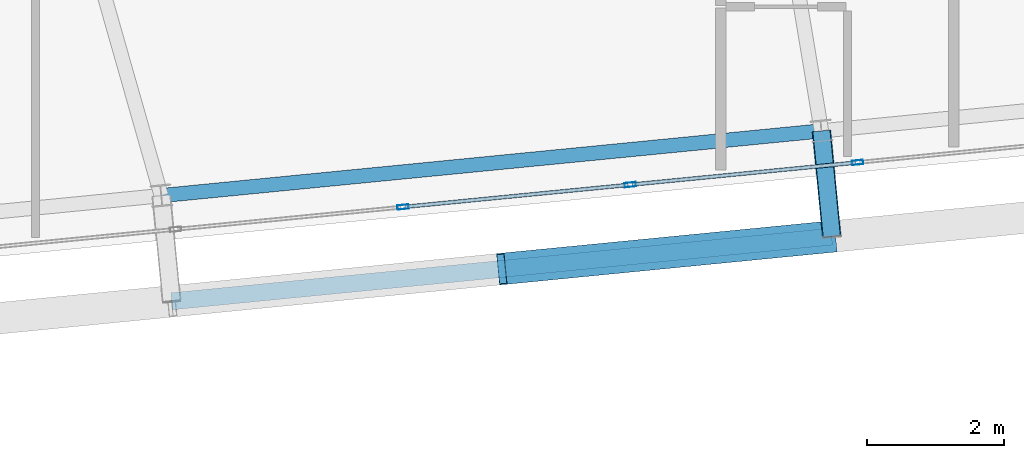
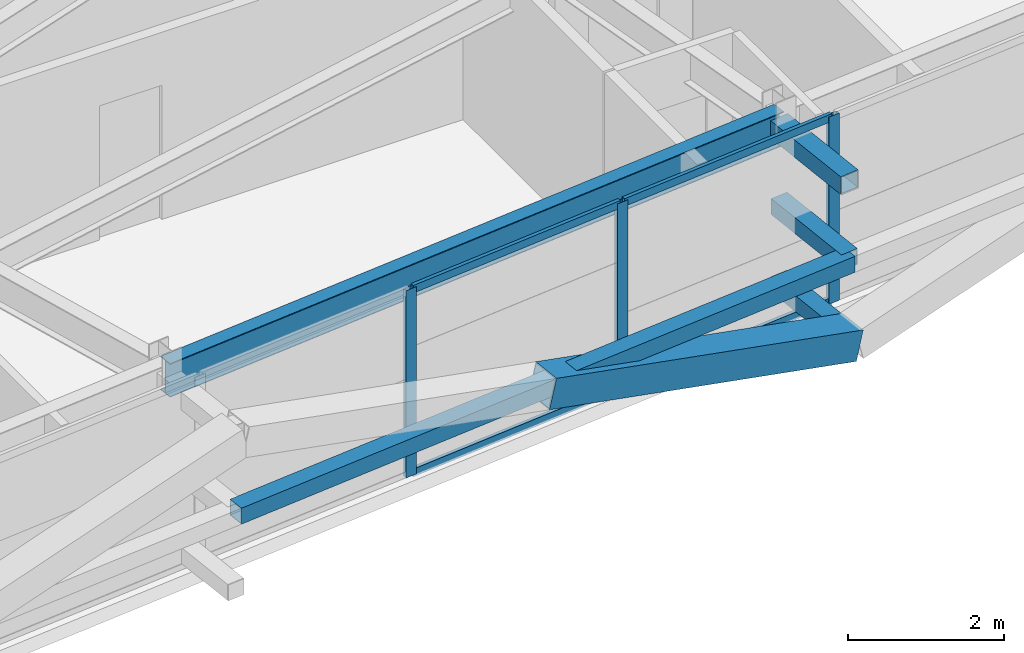
# One storey, part 18 of 53: 12 members, 1 beam, 1 element without a shape of its own.
"""IFC4 building model written with IfcOpenShell, lengths in metres."""

from ifc_helpers import new_model, si_unit, direction, frame, origin, origin_2d, place, context, subcontext, project, spatial, hollow_rectangle, i_section, extrude, source, transform, mapped, material, layer, layer_set, material_profile, profile_set, type_object, element, aggregate, save


model = new_model("IFC4")

# Units and contexts
model_context = context("Model", 3, precision=1e-05, world=origin(), true_north=direction((0.0, 1.0)))
body_context = subcontext(model_context, "Body", "Model", "MODEL_VIEW")
ifc_project = project(units=[si_unit("LENGTHUNIT", "METRE"), si_unit("AREAUNIT", "SQUARE_METRE"), si_unit("VOLUMEUNIT", "CUBIC_METRE"), si_unit("PLANEANGLEUNIT", "RADIAN"), si_unit("MASSUNIT", "GRAM", prefix="KILO")], contexts=[model_context])

# Site, building, storey
site_placement = place(None, origin())
site = spatial("IfcSite", under=ifc_project, at=site_placement, CompositionType="ELEMENT")
building_placement = place(site_placement, origin())
building = spatial("IfcBuilding", under=site, at=building_placement, Name="Taldren Reach Tower", CompositionType="ELEMENT")
storey_placement = place(building_placement, frame((0.0, 0.0, 80.85009765625)))
storey = spatial("IfcBuildingStorey", under=building, at=storey_placement, Name="L24", CompositionType="ELEMENT", Elevation=80.85009765625)

# Members
ifc_material_1 = material(Name="Steel Gr 450 (C450L0)", Category="steel")
ifc_material_profile_1 = material_profile(ifc_material_1, hollow_rectangle(XDim=0.27490234375, YDim=0.27490234375, WallThickness=0.00927734375, at=origin_2d()), Name="275x275x9.3SHS")
ifc_profile_set_1 = profile_set([ifc_material_profile_1], Name="Steel Gr 450 (C450L0)")
member_type_1 = type_object("IfcMemberType", Name="MB-TIE273", PredefinedType="STRUT", material=ifc_profile_set_1)
shared_shape_1 = source(origin(), body_context, "Body", "SweptSolid", [
    extrude(hollow_rectangle(XDim=0.27490234375, YDim=0.27490234375, WallThickness=0.00927734375, at=origin_2d()), origin(), (0.0, 0.0, 1.0), 1.5498046875),
])
member_1_placement = place(storey_placement, frame((53.469482421875, 3.698486328125, 2.64990234375), z_axis=(0.097507178627, -0.995234821595, 0.0), x_axis=(0.995234821595, 0.097507178627, 0.0)))
element("IfcMember", 1, at=member_1_placement, inside=storey, type_object=member_type_1, Name="Exoskeleton diaphragm tie strut B2-S5 L24", PredefinedType="STRUT", context=body_context, shape_type="MappedRepresentation", body=[
    mapped(shared_shape_1, transform((0.0, 0.0, 0.0), scale=1.0)),
])
ifc_material_2 = material(Name="Steel Gr 350 (C350L0)", Category="steel")
ifc_material_profile_2 = material_profile(ifc_material_2, hollow_rectangle(XDim=0.25, YDim=0.25, WallThickness=0.010009765625, at=origin_2d()), Name="250x250x10.0SHS")
ifc_profile_set_2 = profile_set([ifc_material_profile_2], Name="Steel Gr 350 (C350L0)")
member_type_2 = type_object("IfcMemberType", Name="MB-POST250", PredefinedType="POST", material=ifc_profile_set_2)
shared_shape_2 = source(origin(), body_context, "Body", "SweptSolid", [
    extrude(hollow_rectangle(XDim=0.25, YDim=0.25, WallThickness=0.010009765625, at=origin_2d()), origin(), (0.0, 0.0, 1.0), 1.5498046875),
])
for number, where, z_axis, x_axis, name in (
    (2, (53.469482421875, 3.698486328125, 0.219970703125), (0.097507178627, -0.995234821595, 0.0), (0.995234821595, 0.097507178627, 0.0), "Exoskeleton base diaphragm tie strut B2-S5 L24"),
    (3, (53.469482421875, 3.698486328125, 1.434814453125), (0.097507178627, -0.995234821595, 0.0), (0.995234821595, 0.097507178627, 0.0), "Exoskeleton mid-tier diaphragm tie B2-S5 L24"),
):
    element("IfcMember", number, at=place(storey_placement, frame(where, z_axis=z_axis, x_axis=x_axis)), inside=storey, type_object=member_type_2, Name=name, PredefinedType="POST", context=body_context, shape_type="MappedRepresentation", body=[
        mapped(shared_shape_2, transform((0.0, 0.0, 0.0), scale=1.0)),
    ])

# Beam
ifc_material_3 = material(Name="Steel Gr 350 (350PLUS)", Category="steel")
ifc_material_profile_3 = material_profile(ifc_material_3, i_section(OverallWidth=0.208984375, OverallDepth=0.528076171875, WebThickness=0.009521484375, FlangeThickness=0.01318359375, at=origin_2d()), Name="530UB82.0")
ifc_profile_set_3 = profile_set([ifc_material_profile_3], Name="Steel Gr 350 (350PLUS)")
beam_type = type_object("IfcBeamType", Name="SP-UB530B", PredefinedType="SPANDREL", material=ifc_profile_set_3)
shared_shape_3 = source(origin(), body_context, "Body", "SweptSolid", [
    extrude(i_section(OverallWidth=0.208984375, OverallDepth=0.528076171875, WebThickness=0.009521484375, FlangeThickness=0.01318359375, at=origin_2d()), origin(), (0.0, 0.0, 1.0), 9.68017578125),
])
beam_placement = place(storey_placement, frame((43.83544921875, 2.75390625, 2.666015625), z_axis=(0.995227852805, 0.097578281404, 0.0), x_axis=(-0.097578281404, 0.995227852805, 0.0)))
element("IfcBeam", 4, at=beam_placement, inside=storey, type_object=beam_type, Name="Perimeter spandrel B2 S4-S5 L24", PredefinedType="SPANDREL", context=body_context, shape_type="MappedRepresentation", body=[
    mapped(shared_shape_3, transform((0.0, 0.0, 0.0), scale=1.0)),
])

# Members
ifc_material_profile_4 = material_profile(ifc_material_1, hollow_rectangle(XDim=0.4599609375, YDim=0.4599609375, WallThickness=0.01611328125, at=origin_2d()), Name="460x460x16.0SHS")
ifc_profile_set_4 = profile_set([ifc_material_profile_4], Name="Steel Gr 450 (C450L0)")
member_type_3 = type_object("IfcMemberType", Name="MB-EXO457", PredefinedType="BRACE", material=ifc_profile_set_4)
shared_shape_4 = source(origin(), body_context, "Body", "SweptSolid", [
    extrude(hollow_rectangle(XDim=0.4599609375, YDim=0.4599609375, WallThickness=0.01611328125, at=origin_2d()), origin(), (0.0, 0.0, 1.0), 4.990234375),
])
member_2_placement = place(storey_placement, frame((53.62060546875, 2.156005859375, 0.219970703125), z_axis=(-0.965282554799, -0.094669120301, 0.243448859234), x_axis=(0.097605711627, -0.995225162995, 0.0)))
element("IfcMember", 5, at=member_2_placement, inside=storey, type_object=member_type_3, Name="Exoskeleton Diagrid Brace B2-S4 L24", PredefinedType="BRACE", context=body_context, shape_type="MappedRepresentation", body=[
    mapped(shared_shape_4, transform((0.0, 0.0, 0.0), scale=1.0)),
])
shared_shape_5 = source(origin(), body_context, "Body", "SweptSolid", [
    extrude(hollow_rectangle(XDim=0.25, YDim=0.25, WallThickness=0.010009765625, at=origin_2d()), origin(), (0.0, 0.0, 1.0), 9.679931640625),
])
member_3_placement = place(storey_placement, frame((43.98681640625, 1.21142578125, 1.434814453125), z_axis=(0.995227612658, 0.097580730699, 0.0), x_axis=(-0.097580730699, 0.995227612658, 0.0)))
element("IfcMember", 6, at=member_3_placement, inside=storey, type_object=member_type_2, Name="Exoskeleton mid-height ring chord B2-S4 L24", PredefinedType="POST", context=body_context, shape_type="MappedRepresentation", body=[
    mapped(shared_shape_5, transform((0.0, 0.0, 0.0), scale=1.0)),
])

# Curtain wall, members
ifc_material_4 = material(Name="Aluminium and Low-E Glass Unitised System", Category="aluminium")
ifc_layer = layer(ifc_material_4, 0.159912109375)
ifc_layer_set = layer_set([ifc_layer], Name="Aluminium and Low-E Glass Unitised System")
curtain_wall_type = type_object("IfcCurtainWallType", Name="CW-SYS-3", PredefinedType="NOTDEFINED", material=ifc_layer_set)
curtain_wall_placement = place(storey_placement, origin())
curtain_wall = element("IfcCurtainWall", 7, at=curtain_wall_placement, inside=storey, type_object=curtain_wall_type, Name="Unitised curtain wall CW-L24-S", PredefinedType="NOTDEFINED")
ifc_material_5 = material(Name="Anodised Aluminium 6063-T6", Category="aluminium")
ifc_material_profile_5 = material_profile(ifc_material_5, hollow_rectangle(XDim=0.06494140625, YDim=0.1650390625, WallThickness=0.00390625, at=origin_2d()), Name="ALU-165x65x4RHS")
ifc_profile_set_5 = profile_set([ifc_material_profile_5], Name="Anodised Aluminium 6063-T6")
member_type_4 = type_object("IfcMemberType", Name="CW-MUL-165", PredefinedType="MULLION", material=ifc_profile_set_5)
shared_shape_6 = source(origin(), body_context, "Body", "SweptSolid", [
    extrude(hollow_rectangle(XDim=0.06494140625, YDim=0.1650390625, WallThickness=0.00390625, at=origin_2d()), origin(), (0.0, 0.0, 1.0), 2.929931640625),
])
member_4_placement = place(storey_placement, frame((47.362060546875, 2.587158203125, 0.0), z_axis=(0.0, 0.0, 1.0), x_axis=(-0.097582999046, 0.995227390247, 0.0)))
member_4 = element("IfcMember", 8, at=member_4_placement, type_object=member_type_4, Name="CW-3 mullion 11", PredefinedType="MULLION", context=body_context, shape_type="MappedRepresentation", body=[
    mapped(shared_shape_6, transform((0.0, 0.0, 0.0), scale=1.0)),
])
member_5_placement = place(storey_placement, frame((50.679443359375, 2.91259765625, 0.0), z_axis=(0.0, 0.0, 1.0), x_axis=(-0.097582999046, 0.995227390247, 0.0)))
member_5 = element("IfcMember", 9, at=member_5_placement, type_object=member_type_4, Name="CW-3 mullion 12", PredefinedType="MULLION", context=body_context, shape_type="MappedRepresentation", body=[
    mapped(shared_shape_6, transform((0.0, 0.0, 0.0), scale=1.0)),
])
member_6_placement = place(storey_placement, frame((53.996826171875, 3.23779296875, 0.0), z_axis=(0.0, 0.0, 1.0), x_axis=(-0.097582999046, 0.995227390247, 0.0)))
member_6 = element("IfcMember", 10, at=member_6_placement, type_object=member_type_4, Name="CW-3 mullion 13", PredefinedType="MULLION", context=body_context, shape_type="MappedRepresentation", body=[
    mapped(shared_shape_6, transform((0.0, 0.0, 0.0), scale=1.0)),
])
ifc_material_profile_6 = material_profile(ifc_material_5, hollow_rectangle(XDim=0.054931640625, YDim=0.1201171875, WallThickness=0.0029296875, at=origin_2d()), Name="ALU-120x55x3RHS")
ifc_profile_set_6 = profile_set([ifc_material_profile_6], Name="Anodised Aluminium 6063-T6")
member_type_5 = type_object("IfcMemberType", Name="CW-TRN-135", PredefinedType="USERDEFINED", material=ifc_profile_set_6)
shared_shape_7 = source(origin(), body_context, "Body", "SweptSolid", [
    extrude(hollow_rectangle(XDim=0.054931640625, YDim=0.1201171875, WallThickness=0.0029296875, at=origin_2d()), origin(), (0.0, 0.0, 1.0), 3.268310546875),
])
member_7_placement = place(storey_placement, frame((47.394287109375, 2.59033203125, 0.02734375), z_axis=(0.995222549564, 0.097632355496, 0.0), x_axis=(-0.097632355496, 0.995222549564, 0.0)))
member_7 = element("IfcMember", 11, at=member_7_placement, type_object=member_type_5, Name="CW-3 transom 11.1", ObjectType="TRANSOM", PredefinedType="USERDEFINED", context=body_context, shape_type="MappedRepresentation", body=[
    mapped(shared_shape_7, transform((0.0, 0.0, 0.0), scale=1.0)),
])
member_8_placement = place(storey_placement, frame((47.394287109375, 2.59033203125, 2.90234375), z_axis=(0.995222549564, 0.097632355496, 0.0), x_axis=(-0.097632355496, 0.995222549564, 0.0)))
member_8 = element("IfcMember", 12, at=member_8_placement, type_object=member_type_5, Name="CW-3 transom 11.2", ObjectType="TRANSOM", PredefinedType="USERDEFINED", context=body_context, shape_type="MappedRepresentation", body=[
    mapped(shared_shape_7, transform((0.0, 0.0, 0.0), scale=1.0)),
])
shared_shape_8 = source(origin(), body_context, "Body", "SweptSolid", [
    extrude(hollow_rectangle(XDim=0.054931640625, YDim=0.1201171875, WallThickness=0.0029296875, at=origin_2d()), origin(), (0.0, 0.0, 1.0), 3.2685546875),
])
member_9_placement = place(storey_placement, frame((50.711669921875, 2.915771484375, 0.02734375), z_axis=(0.99523051601, 0.097551114824, 0.0), x_axis=(-0.097551114824, 0.99523051601, 0.0)))
member_9 = element("IfcMember", 13, at=member_9_placement, type_object=member_type_5, Name="CW-3 transom 12.1", ObjectType="TRANSOM", PredefinedType="USERDEFINED", context=body_context, shape_type="MappedRepresentation", body=[
    mapped(shared_shape_8, transform((0.0, 0.0, 0.0), scale=1.0)),
])
member_10_placement = place(storey_placement, frame((50.711669921875, 2.915771484375, 2.90234375), z_axis=(0.99523051601, 0.097551114824, 0.0), x_axis=(-0.097551114824, 0.99523051601, 0.0)))
member_10 = element("IfcMember", 14, at=member_10_placement, type_object=member_type_5, Name="CW-3 transom 12.2", ObjectType="TRANSOM", PredefinedType="USERDEFINED", context=body_context, shape_type="MappedRepresentation", body=[
    mapped(shared_shape_8, transform((0.0, 0.0, 0.0), scale=1.0)),
])
aggregate(curtain_wall, [member_4, member_5, member_6, member_7, member_8, member_9, member_10])

save(model, "model.ifc")
